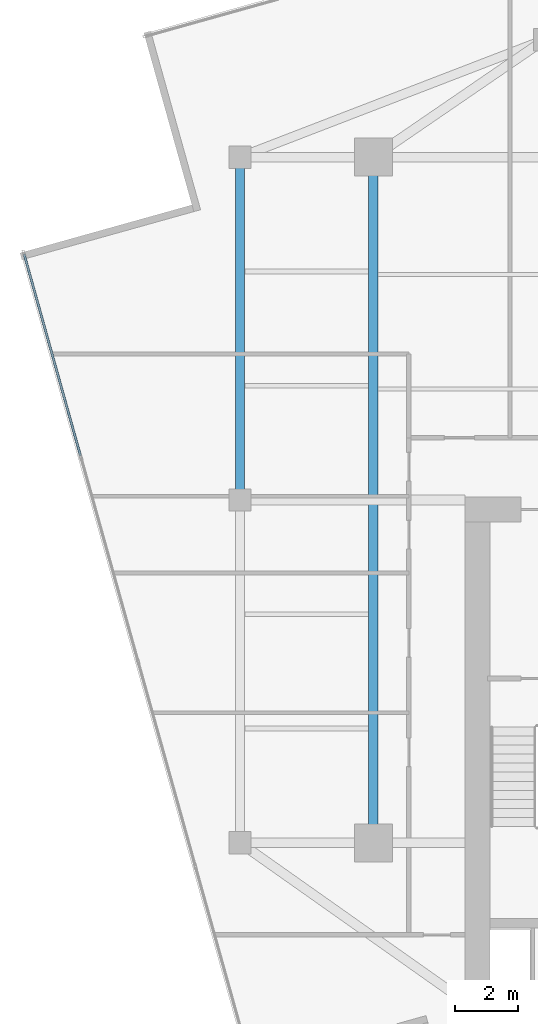
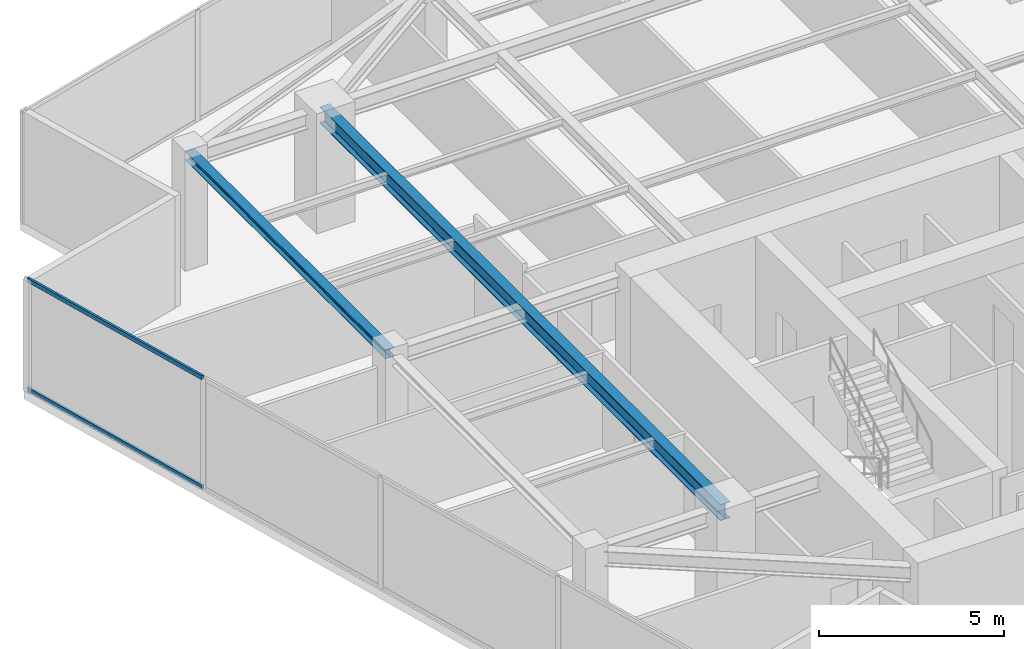
# One storey, part 6 of 21: 2 beams, 2 members, 1 element without a shape of its own.
"""IFC4 building model written with IfcOpenShell, lengths in metres."""

from ifc_helpers import new_model, si_unit, direction, frame, origin, origin_2d, place, context, subcontext, project, spatial, hollow_rectangle, i_section, extrude, source, transform, mapped, material, material_profile, profile_set, type_object, type_shapes, element, aggregate, save


model = new_model("IFC4")

# Units and contexts
model_context = context("Model", 3, precision=1e-05, world=origin(), true_north=direction((0.0, 1.0)))
body_context = subcontext(model_context, "Body", "Model", "MODEL_VIEW")
ifc_project = project(units=[si_unit("LENGTHUNIT", "METRE"), si_unit("AREAUNIT", "SQUARE_METRE"), si_unit("VOLUMEUNIT", "CUBIC_METRE"), si_unit("PLANEANGLEUNIT", "RADIAN"), si_unit("MASSUNIT", "GRAM", prefix="KILO")], contexts=[model_context])

# Site, building, storey
site_placement = place(None, origin())
site = spatial("IfcSite", under=ifc_project, at=site_placement, CompositionType="ELEMENT")
building_placement = place(site_placement, origin())
building = spatial("IfcBuilding", under=site, at=building_placement, Name="Krantzveldt Concourse Tower", CompositionType="ELEMENT")
storey_placement = place(building_placement, frame((0.0, 0.0, 347.449951171875)))
storey = spatial("IfcBuildingStorey", under=building, at=storey_placement, Name="L85", CompositionType="ELEMENT", Elevation=347.449951171875)

# Beams
ifc_material_1 = material(Name="Steel S355JR", Category="steel")
ifc_material_profile_1 = material_profile(ifc_material_1, i_section(OverallWidth=0.300048828125, OverallDepth=0.5400390625, WebThickness=0.012451171875, FlangeThickness=0.02392578125, FilletRadius=0.027099609375, at=origin_2d()), Name="Steel S355JR", Category="steel")
ifc_profile_set_1 = profile_set([ifc_material_profile_1], Name="Steel S355JR - HEA 550")
beam_type_1 = type_object("IfcBeamType", Name="BM-B-HEA550", PredefinedType="BEAM", material=ifc_profile_set_1)
shared_shape_1 = source(origin(), body_context, "Body", "SweptSolid", [
    extrude(i_section(OverallWidth=0.300048828125, OverallDepth=0.5400390625, WebThickness=0.012451171875, FlangeThickness=0.02392578125, FilletRadius=0.027099609375, at=origin_2d()), origin(), (0.0, 0.0, 1.0), 21.60009765625),
])
type_shapes(beam_type_1, [shared_shape_1])
beam_1_placement = place(storey_placement, frame((25.199951171875, 15.89990234375, 3.400146484375), z_axis=(0.0, 1.0, 0.0), x_axis=(-1.0, 0.0, 0.0)))
element("IfcBeam", 1, at=beam_1_placement, inside=storey, type_object=beam_type_1, Name="L85 Tower Girder BG-MW", PredefinedType="BEAM", context=body_context, shape_type="MappedRepresentation", body=[
    mapped(shared_shape_1, transform((0.0, 0.0, 0.0), x_axis=(1.0, 0.0, 0.0), y_axis=(0.0, 1.0, 0.0), z_axis=(0.0, 0.0, 1.0), scale=1.0)),
])
ifc_material_profile_2 = material_profile(ifc_material_1, i_section(OverallWidth=0.2900390625, OverallDepth=0.2900390625, WebThickness=0.008544921875, FlangeThickness=0.013916015625, FilletRadius=0.027099609375, at=origin_2d()), Name="Steel S355JR", Category="steel")
ifc_profile_set_2 = profile_set([ifc_material_profile_2], Name="Steel S355JR - HEA 300")
beam_type_2 = type_object("IfcBeamType", Name="BM-SP-HEA300", PredefinedType="SPANDREL", material=ifc_profile_set_2)
shared_shape_2 = source(origin(), body_context, "Body", "SweptSolid", [
    extrude(i_section(OverallWidth=0.2900390625, OverallDepth=0.2900390625, WebThickness=0.008544921875, FlangeThickness=0.013916015625, FilletRadius=0.027099609375, at=origin_2d()), origin(), (0.0, 0.0, 1.0), 10.800048828125),
])
type_shapes(beam_type_2, [shared_shape_2])
beam_2_placement = place(storey_placement, frame((21.0, 26.699951171875, 3.525146484375), z_axis=(0.0, 1.0, 0.0), x_axis=(-1.0, 0.0, 0.0)))
element("IfcBeam", 2, at=beam_2_placement, inside=storey, type_object=beam_type_2, Name="L85 Tower Girder SP-R02", PredefinedType="SPANDREL", context=body_context, shape_type="MappedRepresentation", body=[
    mapped(shared_shape_2, transform((0.0, 0.0, 0.0), x_axis=(1.0, 0.0, 0.0), y_axis=(0.0, 1.0, 0.0), z_axis=(0.0, 0.0, 1.0), scale=1.0)),
])

# Curtain wall, members
ifc_material_2 = material(Name="Anodised aluminium 6063-T6", Category="aluminium")
curtain_wall_type = type_object("IfcCurtainWallType", Name="CW4", PredefinedType="USERDEFINED", material=ifc_material_2)
curtain_wall_placement = place(storey_placement, origin())
curtain_wall = element("IfcCurtainWall", 3, at=curtain_wall_placement, inside=storey, type_object=curtain_wall_type, Name="CW-L85-F04", ObjectType="UNITISED CURTAIN WALL", PredefinedType="USERDEFINED")
ifc_material_profile_3 = material_profile(ifc_material_2, hollow_rectangle(XDim=0.070068359375, YDim=0.139892578125, WallThickness=0.0048828125, at=origin_2d()), Name="Anodised aluminium 6063-T6", Category="aluminium")
ifc_profile_set_3 = profile_set([ifc_material_profile_3], Name="Anodised aluminium 6063-T6 - ALU-TRAN 140x70x5")
member_type = type_object("IfcMemberType", Name="CW-TRN-150", PredefinedType="USERDEFINED", material=ifc_profile_set_3)
shared_shape_3 = source(origin(), body_context, "Body", "SweptSolid", [
    extrude(hollow_rectangle(XDim=0.070068359375, YDim=0.139892578125, WallThickness=0.0048828125, at=origin_2d()), origin(), (0.0, 0.0, 1.0), 6.594970703125),
])
type_shapes(member_type, [shared_shape_3])
member_1_placement = place(storey_placement, frame((14.198486328125, 34.444091796875, 0.03515625), z_axis=(0.269348428694, -0.963042794459, 0.0), x_axis=(0.963042794459, 0.269348428694, 0.0)))
member_1 = element("IfcMember", 4, at=member_1_placement, type_object=member_type, Name="CW-Z56 transom 1.1", ObjectType="TRANSOM", PredefinedType="USERDEFINED", context=body_context, shape_type="MappedRepresentation", body=[
    mapped(shared_shape_3, transform((0.0, 0.0, 0.0), x_axis=(1.0, 0.0, 0.0), y_axis=(0.0, 1.0, 0.0), z_axis=(0.0, 0.0, 1.0), scale=1.0)),
])
member_2_placement = place(storey_placement, frame((14.198486328125, 34.444091796875, 3.635009765625), z_axis=(0.269348428694, -0.963042794459, 0.0), x_axis=(0.963042794459, 0.269348428694, 0.0)))
member_2 = element("IfcMember", 5, at=member_2_placement, type_object=member_type, Name="CW-Z56 transom 1.2", ObjectType="TRANSOM", PredefinedType="USERDEFINED", context=body_context, shape_type="MappedRepresentation", body=[
    mapped(shared_shape_3, transform((0.0, 0.0, 0.0), x_axis=(1.0, 0.0, 0.0), y_axis=(0.0, 1.0, 0.0), z_axis=(0.0, 0.0, 1.0), scale=1.0)),
])
aggregate(curtain_wall, [member_1, member_2])

save(model, "model.ifc")
